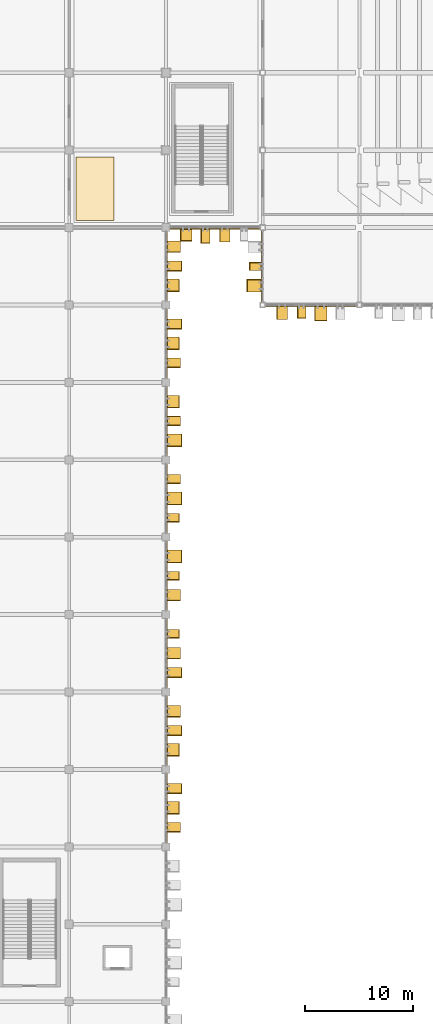
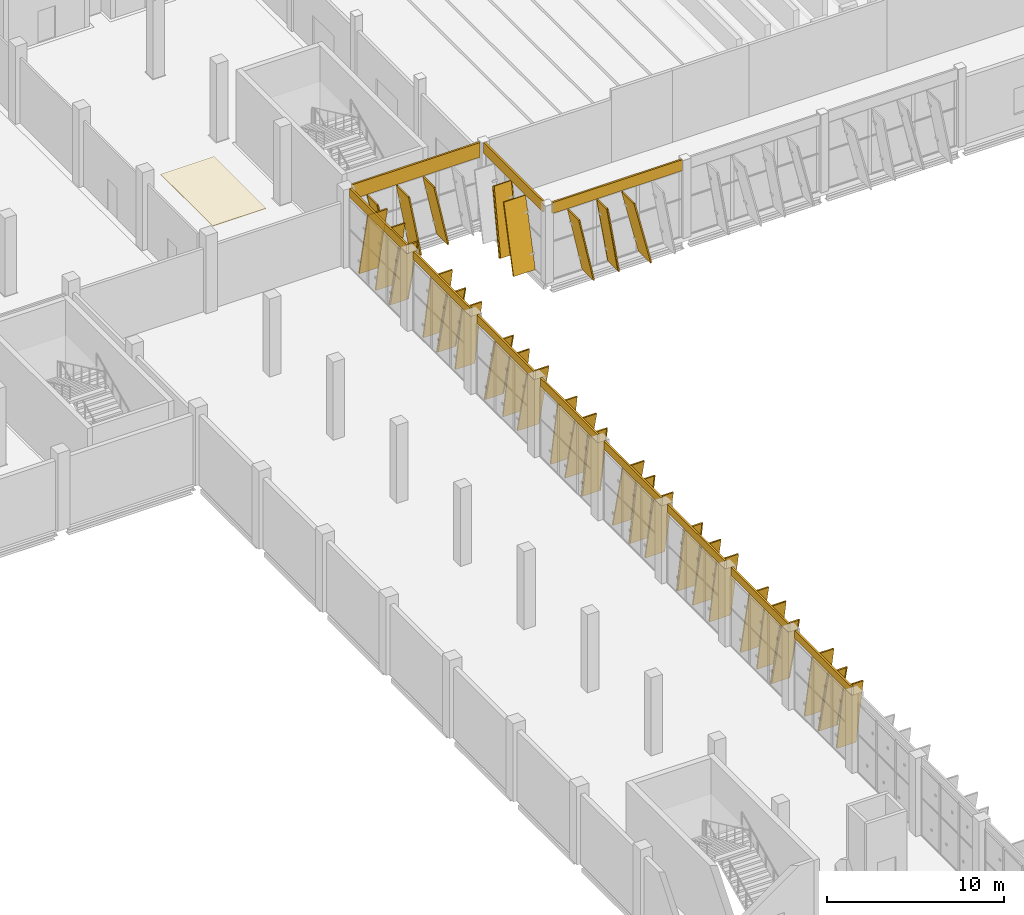
# One storey, part 174 of 189: 44 coverings, 32 shading devices.
"""IFC4 building model written with IfcOpenShell, lengths in metres."""

from ifc_helpers import new_model, si_unit, direction, frame, origin, origin_2d, place, context, subcontext, project, spatial, polyline, rectangle, outline, extrude, material, layer, layer_set, material_profile, profile_set, type_object, element, save


model = new_model("IFC4")

# Units and contexts
model_context = context("Model", 3, precision=1e-05, world=origin(), true_north=direction((0.0, 1.0)))
body_context = subcontext(model_context, "Body", "Model", "MODEL_VIEW")
ifc_project = project(units=[si_unit("LENGTHUNIT", "METRE"), si_unit("AREAUNIT", "SQUARE_METRE"), si_unit("VOLUMEUNIT", "CUBIC_METRE"), si_unit("PLANEANGLEUNIT", "RADIAN"), si_unit("MASSUNIT", "GRAM", prefix="KILO")], contexts=[model_context])

# Site, building, storey
site_placement = place(None, origin())
site = spatial("IfcSite", under=ifc_project, at=site_placement, CompositionType="ELEMENT")
building_placement = place(site_placement, origin())
building = spatial("IfcBuilding", under=site, at=building_placement, Name="Celestram Park Convention Centre", CompositionType="ELEMENT")
storey_placement = place(building_placement, frame((0.0, 0.0, 5.39990234375)))
storey = spatial("IfcBuildingStorey", under=building, at=storey_placement, Name="L01", CompositionType="ELEMENT", Elevation=5.39990234375)

# Coverings
ifc_material_1 = material(Name="Anodised Bronze Aluminium Spandrel Cladding", Category="aluminium")
ifc_layer_1 = layer(ifc_material_1, 0.050048828125)
ifc_layer_set_1 = layer_set([ifc_layer_1], Name="Anodised Bronze Aluminium Spandrel Cladding")
covering_type_1 = type_object("IfcCoveringType", Name="ARC-COV-CLD060", PredefinedType="CLADDING", material=ifc_layer_set_1)
covering_1_placement = place(storey_placement, frame((157.5, 115.1201171875, 4.64404296875), z_axis=(0.0, 0.0, 1.0), x_axis=(-1.0, 0.0, 0.0)))
element("IfcCovering", 1, at=covering_1_placement, inside=storey, type_object=covering_type_1, Name="Bronze spandrel cladding CL-L01-083", PredefinedType="CLADDING", context=body_context, shape_type="SweptSolid", body=[
    extrude(rectangle(XDim=8.50390625, YDim=0.1201171875, at=origin_2d()), origin(), (0.0, 0.0, 1.0), 0.756103515625),
])
covering_2_placement = place(storey_placement, frame((152.919921875, 118.800048828125, 4.64404296875), z_axis=(0.0, 0.0, 1.0), x_axis=(0.0, 1.0, 0.0)))
element("IfcCovering", 2, at=covering_2_placement, inside=storey, type_object=covering_type_1, Name="Bronze spandrel cladding CL-L01-084", PredefinedType="CLADDING", context=body_context, shape_type="SweptSolid", body=[
    extrude(rectangle(XDim=6.7041015625, YDim=0.1201171875, at=origin_2d()), origin(), (0.0, 0.0, 1.0), 0.756103515625),
])
covering_3_placement = place(storey_placement, frame((148.5, 122.320068359375, 4.38818359375), z_axis=(0.0, 0.0, 1.0), x_axis=(-1.0, 0.0, 0.0)))
element("IfcCovering", 3, at=covering_3_placement, inside=storey, type_object=covering_type_1, Name="Bronze spandrel cladding CL-L01-085", PredefinedType="CLADDING", context=body_context, shape_type="SweptSolid", body=[
    extrude(rectangle(XDim=8.37890625, YDim=0.1201171875, at=origin_2d()), origin(), (0.0, 0.0, 1.0), 1.011962890625),
])
covering_4_placement = place(storey_placement, frame((144.080078125, 118.800048828125, 4.7841796875), z_axis=(0.0, 0.0, 1.0), x_axis=(0.0, -1.0, 0.0)))
element("IfcCovering", 4, at=covering_4_placement, inside=storey, type_object=covering_type_1, Name="Bronze spandrel cladding CL-L01-086", PredefinedType="CLADDING", context=body_context, shape_type="SweptSolid", body=[
    extrude(rectangle(XDim=6.4541015625, YDim=0.1201171875, at=origin_2d()), origin(), (0.0, 0.0, 1.0), 0.615966796875),
])
for number, where, z_axis, x_axis, name in (
    (5, (144.080078125, 111.60009765625, 4.840087890625), (0.0, 0.0, 1.0), (0.0, -1.0, 0.0), "Bronze spandrel cladding CL-L01-087"),
    (6, (144.080078125, 104.39990234375, 4.840087890625), (0.0, 0.0, 1.0), (0.0, -1.0, 0.0), "Bronze spandrel cladding CL-L01-088"),
    (7, (144.080078125, 97.199951171875, 4.840087890625), (0.0, 0.0, 1.0), (0.0, -1.0, 0.0), "Bronze spandrel cladding CL-L01-089"),
    (8, (144.080078125, 90.0, 4.840087890625), (0.0, 0.0, 1.0), (0.0, -1.0, 0.0), "Bronze spandrel cladding CL-L01-090"),
    (9, (144.080078125, 82.800048828125, 4.840087890625), (0.0, 0.0, 1.0), (0.0, -1.0, 0.0), "Bronze spandrel cladding CL-L01-091"),
    (10, (144.080078125, 75.60009765625, 4.840087890625), (0.0, 0.0, 1.0), (0.0, -1.0, 0.0), "Bronze spandrel cladding CL-L01-092"),
    (11, (144.080078125, 68.39990234375, 4.840087890625), (0.0, 0.0, 1.0), (0.0, -1.0, 0.0), "Bronze spandrel cladding CL-L01-093"),
):
    element("IfcCovering", number, at=place(storey_placement, frame(where, z_axis=z_axis, x_axis=x_axis)), inside=storey, type_object=covering_type_1, Name=name, PredefinedType="CLADDING", context=body_context, shape_type="SweptSolid", body=[
        extrude(rectangle(XDim=6.4541015625, YDim=0.1201171875, at=origin_2d()), origin(), (0.0, 0.0, 1.0), 0.56005859375),
    ])
ifc_material_2 = material(Name="Perforated Acoustic Mineral-Fibre Baffle Ceiling", Category="gypsum")
ifc_layer_2 = layer(ifc_material_2, 0.0400390625)
ifc_layer_set_2 = layer_set([ifc_layer_2], Name="Perforated Acoustic Mineral-Fibre Baffle Ceiling")
covering_type_2 = type_object("IfcCoveringType", Name="ARC-COV-CLG040", PredefinedType="CEILING", material=ifc_layer_set_2)
covering_5_placement = place(storey_placement, frame((0.0, 0.0, 5.080078125)))
element("IfcCovering", 12, at=covering_5_placement, inside=storey, type_object=covering_type_2, Name="Plenary Pre-Function Gallery acoustic baffle ceiling", PredefinedType="CEILING", context=body_context, shape_type="SweptSolid", body=[
    extrude(outline(polyline([(135.64990234375, 123.050048828125), (139.14990234375, 123.050048828125), (139.14990234375, 128.949951171875), (135.64990234375, 128.949951171875), (135.64990234375, 123.050048828125)])), origin(), (0.0, 0.0, 1.0), 0.0400390625),
])
ifc_material_3 = material(Name="Timber-Toned Anodised Aluminium Alloy 6063-T6", Category="wood")
ifc_material_profile_1 = material_profile(ifc_material_3, rectangle(XDim=1.1201171875, YDim=0.090087890625, at=origin_2d()), Name="REED1120X90")
ifc_profile_set_1 = profile_set([ifc_material_profile_1], Name="Timber-Toned Anodised Aluminium Alloy 6063-T6")
covering_type_3 = type_object("IfcCoveringType", Name="ARC-COV-FIN1120", PredefinedType="CLADDING", material=ifc_profile_set_1)
for number, where, z_axis, x_axis, name in (
    (13, (156.96875, 114.56005859375, 0.034912109375), (-0.159857948369, 0.0, 0.987140028741), (0.0, -1.0, 0.0), "Leaning timber-toned reed fin RFN-L01-0248"),
    (14, (152.360107421875, 118.43115234375, 0.034912109375), (0.0, 0.159857948369, 0.987140028741), (-1.0, 0.0, 0.0), "Leaning timber-toned reed fin RFN-L01-0251"),
):
    element("IfcCovering", number, at=place(storey_placement, frame(where, z_axis=z_axis, x_axis=x_axis)), inside=storey, type_object=covering_type_3, Name=name, PredefinedType="CLADDING", context=body_context, shape_type="SweptSolid", body=[
        extrude(rectangle(XDim=1.1201171875, YDim=0.090087890625, at=origin_2d()), origin(), (0.0, 0.0, 1.0), 4.61376953125),
    ])
covering_6_placement = place(storey_placement, frame((146.367431640625, 121.760009765625, 0.064453125), z_axis=(-0.231764427654, 0.0, 0.972771941451), x_axis=(0.0, -1.0, 0.0)))
element("IfcCovering", 15, at=covering_6_placement, inside=storey, type_object=covering_type_3, Name="Leaning timber-toned reed fin RFN-L01-0256", PredefinedType="CLADDING", context=body_context, shape_type="SweptSolid", body=[
    extrude(rectangle(XDim=1.1201171875, YDim=0.090087890625, at=origin_2d()), origin(), (0.0, 0.0, 1.0), 4.35791015625),
])
covering_7_placement = place(storey_placement, frame((144.639892578125, 117.55078125, 0.06982421875), z_axis=(0.0, -0.231717727621, 0.972783066622), x_axis=(1.0, 0.0, 0.0)))
element("IfcCovering", 16, at=covering_7_placement, inside=storey, type_object=covering_type_3, Name="Leaning timber-toned reed fin RFN-L01-0259", PredefinedType="CLADDING", context=body_context, shape_type="SweptSolid", body=[
    extrude(rectangle(XDim=1.1201171875, YDim=0.090087890625, at=origin_2d()), origin(), (0.0, 0.0, 1.0), 4.75390625),
])
covering_8_placement = place(storey_placement, frame((144.639892578125, 112.157470703125, 0.070556640625), z_axis=(0.0, -0.231808084976, 0.972761538991), x_axis=(1.0, 0.0, 0.0)))
element("IfcCovering", 17, at=covering_8_placement, inside=storey, type_object=covering_type_3, Name="Leaning timber-toned reed fin RFN-L01-0261", PredefinedType="CLADDING", context=body_context, shape_type="SweptSolid", body=[
    extrude(rectangle(XDim=1.1201171875, YDim=0.090087890625, at=origin_2d()), origin(), (0.0, 0.0, 1.0), 4.81005859375),
])
covering_9_placement = place(storey_placement, frame((144.639892578125, 106.75732421875, 0.070556640625), z_axis=(0.0, -0.231760054376, 0.972772983381), x_axis=(1.0, 0.0, 0.0)))
element("IfcCovering", 18, at=covering_9_placement, inside=storey, type_object=covering_type_3, Name="Leaning timber-toned reed fin RFN-L01-0263", PredefinedType="CLADDING", context=body_context, shape_type="SweptSolid", body=[
    extrude(rectangle(XDim=1.1201171875, YDim=0.090087890625, at=origin_2d()), origin(), (0.0, 0.0, 1.0), 4.809814453125),
])
for number, where, z_axis, x_axis, name in (
    (19, (144.639892578125, 95.784423828125, 0.035888671875), (0.0, -0.159878683359, 0.987136670683), (1.0, 0.0, 0.0), "Leaning timber-toned reed fin RFN-L01-0268"),
    (20, (144.639892578125, 90.384521484375, 0.035888671875), (0.0, -0.159878683359, 0.987136670683), (1.0, 0.0, 0.0), "Leaning timber-toned reed fin RFN-L01-0270"),
    (21, (144.639892578125, 84.984619140625, 0.035888671875), (0.0, -0.159878683359, 0.987136670683), (1.0, 0.0, 0.0), "Leaning timber-toned reed fin RFN-L01-0272"),
):
    element("IfcCovering", number, at=place(storey_placement, frame(where, z_axis=z_axis, x_axis=x_axis)), inside=storey, type_object=covering_type_3, Name=name, PredefinedType="CLADDING", context=body_context, shape_type="SweptSolid", body=[
        extrude(rectangle(XDim=1.1201171875, YDim=0.090087890625, at=origin_2d()), origin(), (0.0, 0.0, 1.0), 4.81005859375),
    ])
covering_10_placement = place(storey_placement, frame((144.639892578125, 74.357421875, 0.070556640625), z_axis=(0.0, -0.231760054376, 0.972772983381), x_axis=(1.0, 0.0, 0.0)))
element("IfcCovering", 22, at=covering_10_placement, inside=storey, type_object=covering_type_3, Name="Leaning timber-toned reed fin RFN-L01-0277", PredefinedType="CLADDING", context=body_context, shape_type="SweptSolid", body=[
    extrude(rectangle(XDim=1.1201171875, YDim=0.090087890625, at=origin_2d()), origin(), (0.0, 0.0, 1.0), 4.809814453125),
])
covering_11_placement = place(storey_placement, frame((144.639892578125, 68.95751953125, 0.070556640625), z_axis=(0.0, -0.231808084976, 0.972761538991), x_axis=(1.0, 0.0, 0.0)))
element("IfcCovering", 23, at=covering_11_placement, inside=storey, type_object=covering_type_3, Name="Leaning timber-toned reed fin RFN-L01-0279", PredefinedType="CLADDING", context=body_context, shape_type="SweptSolid", body=[
    extrude(rectangle(XDim=1.1201171875, YDim=0.090087890625, at=origin_2d()), origin(), (0.0, 0.0, 1.0), 4.81005859375),
])
ifc_material_profile_2 = material_profile(ifc_material_3, rectangle(XDim=1.280029296875, YDim=0.090087890625, at=origin_2d()), Name="REED1280X90")
ifc_profile_set_2 = profile_set([ifc_material_profile_2], Name="Timber-Toned Anodised Aluminium Alloy 6063-T6")
covering_type_4 = type_object("IfcCoveringType", Name="ARC-COV-FIN1280", PredefinedType="CLADDING", material=ifc_profile_set_2)
covering_12_placement = place(storey_placement, frame((155.28369140625, 114.47998046875, 0.056396484375), z_axis=(-0.209641107943, 0.0, 0.977778403249), x_axis=(0.0, -1.0, 0.0)))
element("IfcCovering", 24, at=covering_12_placement, inside=storey, type_object=covering_type_4, Name="Leaning timber-toned reed fin RFN-L01-0249", PredefinedType="CLADDING", context=body_context, shape_type="SweptSolid", body=[
    extrude(rectangle(XDim=1.280029296875, YDim=0.090087890625, at=origin_2d()), origin(), (0.0, 0.0, 1.0), 4.614013671875),
])
covering_13_placement = place(storey_placement, frame((149.919189453125, 121.679931640625, 0.053466796875), z_axis=(-0.20962855812, 0.0, 0.977781093916), x_axis=(0.0, -1.0, 0.0)))
element("IfcCovering", 25, at=covering_13_placement, inside=storey, type_object=covering_type_4, Name="Leaning timber-toned reed fin RFN-L01-0254", PredefinedType="CLADDING", context=body_context, shape_type="SweptSolid", body=[
    extrude(rectangle(XDim=1.280029296875, YDim=0.090087890625, at=origin_2d()), origin(), (0.0, 0.0, 1.0), 4.358154296875),
])
covering_14_placement = place(storey_placement, frame((144.719970703125, 121.098388671875, 0.057861328125), z_axis=(0.0, -0.209627286664, 0.977781366506), x_axis=(1.0, 0.0, 0.0)))
element("IfcCovering", 26, at=covering_14_placement, inside=storey, type_object=covering_type_4, Name="Leaning timber-toned reed fin RFN-L01-0257", PredefinedType="CLADDING", context=body_context, shape_type="SweptSolid", body=[
    extrude(rectangle(XDim=1.280029296875, YDim=0.090087890625, at=origin_2d()), origin(), (0.0, 0.0, 1.0), 4.754150390625),
])
for number, where, z_axis, x_axis, name in (
    (27, (144.719970703125, 110.20947265625, 0.040283203125), (0.0, -0.170240052999, 0.985402620432), (1.0, 0.0, 0.0), "Leaning timber-toned reed fin RFN-L01-0262"),
    (28, (144.719970703125, 104.809326171875, 0.040283203125), (0.0, -0.170240052999, 0.985402620432), (1.0, 0.0, 0.0), "Leaning timber-toned reed fin RFN-L01-0264"),
    (29, (144.719970703125, 99.409423828125, 0.040283203125), (0.0, -0.170240052999, 0.985402620432), (1.0, 0.0, 0.0), "Leaning timber-toned reed fin RFN-L01-0266"),
    (30, (144.719970703125, 88.7041015625, 0.05859375), (0.0, -0.209626144864, 0.977781611296), (1.0, 0.0, 0.0), "Leaning timber-toned reed fin RFN-L01-0271"),
    (31, (144.719970703125, 83.30419921875, 0.05859375), (0.0, -0.209626144864, 0.977781611296), (1.0, 0.0, 0.0), "Leaning timber-toned reed fin RFN-L01-0273"),
    (32, (144.719970703125, 77.904052734375, 0.05859375), (0.0, -0.209577617572, 0.977792013781), (1.0, 0.0, 0.0), "Leaning timber-toned reed fin RFN-L01-0275"),
    (33, (144.719970703125, 67.009521484375, 0.040283203125), (0.0, -0.170240052999, 0.985402620432), (1.0, 0.0, 0.0), "Leaning timber-toned reed fin RFN-L01-0280"),
):
    element("IfcCovering", number, at=place(storey_placement, frame(where, z_axis=z_axis, x_axis=x_axis)), inside=storey, type_object=covering_type_4, Name=name, PredefinedType="CLADDING", context=body_context, shape_type="SweptSolid", body=[
        extrude(rectangle(XDim=1.280029296875, YDim=0.090087890625, at=origin_2d()), origin(), (0.0, 0.0, 1.0), 4.81005859375),
    ])
ifc_material_profile_3 = material_profile(ifc_material_3, rectangle(XDim=1.419921875, YDim=0.090087890625, at=origin_2d()), Name="REED1420X90")
ifc_profile_set_3 = profile_set([ifc_material_profile_3], Name="Timber-Toned Anodised Aluminium Alloy 6063-T6")
covering_type_5 = type_object("IfcCoveringType", Name="ARC-COV-FIN1420", PredefinedType="CLADDING", material=ifc_profile_set_3)
for number, where, z_axis, x_axis, name in (
    (34, (158.9501953125, 114.409912109375, 0.07177734375), (-0.238536992312, 0.0, 0.971133411689), (0.0, -1.0, 0.0), "Leaning timber-toned reed fin RFN-L01-0247"),
    (35, (152.2099609375, 116.44970703125, 0.07177734375), (0.0, 0.238536992312, 0.971133411689), (-1.0, 0.0, 0.0), "Leaning timber-toned reed fin RFN-L01-0250"),
):
    element("IfcCovering", number, at=place(storey_placement, frame(where, z_axis=z_axis, x_axis=x_axis)), inside=storey, type_object=covering_type_5, Name=name, PredefinedType="CLADDING", context=body_context, shape_type="SweptSolid", body=[
        extrude(rectangle(XDim=1.419921875, YDim=0.090087890625, at=origin_2d()), origin(), (0.0, 0.0, 1.0), 4.614013671875),
    ])
covering_15_placement = place(storey_placement, frame((148.055908203125, 121.610107421875, 0.041015625), z_axis=(-0.180556405286, 0.0, 0.983564631588), x_axis=(0.0, -1.0, 0.0)))
element("IfcCovering", 36, at=covering_15_placement, inside=storey, type_object=covering_type_5, Name="Leaning timber-toned reed fin RFN-L01-0255", PredefinedType="CLADDING", context=body_context, shape_type="SweptSolid", body=[
    extrude(rectangle(XDim=1.419921875, YDim=0.090087890625, at=origin_2d()), origin(), (0.0, 0.0, 1.0), 4.35791015625),
])
covering_16_placement = place(storey_placement, frame((144.7900390625, 119.22900390625, 0.044189453125), z_axis=(0.0, -0.180516672672, 0.983571924613), x_axis=(1.0, 0.0, 0.0)))
element("IfcCovering", 37, at=covering_16_placement, inside=storey, type_object=covering_type_5, Name="Leaning timber-toned reed fin RFN-L01-0258", PredefinedType="CLADDING", context=body_context, shape_type="SweptSolid", body=[
    extrude(rectangle(XDim=1.419921875, YDim=0.090087890625, at=origin_2d()), origin(), (0.0, 0.0, 1.0), 4.75390625),
])
for number, where, z_axis, x_axis, name in (
    (38, (144.7900390625, 113.833984375, 0.044677734375), (0.0, -0.180493192635, 0.983576233656), (1.0, 0.0, 0.0), "Leaning timber-toned reed fin RFN-L01-0260"),
    (39, (144.7900390625, 103.173583984375, 0.074462890625), (0.0, -0.238508778742, 0.971140341281), (1.0, 0.0, 0.0), "Leaning timber-toned reed fin RFN-L01-0265"),
    (40, (144.7900390625, 97.773681640625, 0.074462890625), (0.0, -0.238556647816, 0.971128583547), (1.0, 0.0, 0.0), "Leaning timber-toned reed fin RFN-L01-0267"),
    (41, (144.7900390625, 92.373779296875, 0.074462890625), (0.0, -0.238556647816, 0.971128583547), (1.0, 0.0, 0.0), "Leaning timber-toned reed fin RFN-L01-0269"),
    (42, (144.7900390625, 81.43408203125, 0.044677734375), (0.0, -0.180493192635, 0.983576233656), (1.0, 0.0, 0.0), "Leaning timber-toned reed fin RFN-L01-0274"),
    (43, (144.7900390625, 76.0341796875, 0.044677734375), (0.0, -0.180493192635, 0.983576233656), (1.0, 0.0, 0.0), "Leaning timber-toned reed fin RFN-L01-0276"),
    (44, (144.7900390625, 70.634033203125, 0.044677734375), (0.0, -0.180493192635, 0.983576233656), (1.0, 0.0, 0.0), "Leaning timber-toned reed fin RFN-L01-0278"),
):
    element("IfcCovering", number, at=place(storey_placement, frame(where, z_axis=z_axis, x_axis=x_axis)), inside=storey, type_object=covering_type_5, Name=name, PredefinedType="CLADDING", context=body_context, shape_type="SweptSolid", body=[
        extrude(rectangle(XDim=1.419921875, YDim=0.090087890625, at=origin_2d()), origin(), (0.0, 0.0, 1.0), 4.81005859375),
    ])

# Shading devices
ifc_material_4 = material(Name="Anodised Bronze Aluminium Alloy 6063-T6", Category="aluminium")
ifc_material_profile_4 = material_profile(ifc_material_4, rectangle(XDim=1.280029296875, YDim=0.080078125, at=origin_2d()), Name="FIN1280X80")
ifc_profile_set_4 = profile_set([ifc_material_profile_4], Name="Anodised Bronze Aluminium Alloy 6063-T6")
shading_device_type = type_object("IfcShadingDeviceType", Name="ARC-FIN-BZ1280", PredefinedType="USERDEFINED", material=ifc_profile_set_4)
shading_device_1_placement = place(storey_placement, frame((158.9501953125, 114.409912109375, 0.07177734375), z_axis=(-0.238536992312, 0.0, 0.971133411689), x_axis=(0.0, -1.0, 0.0)))
element("IfcShadingDevice", 45, at=shading_device_1_placement, inside=storey, type_object=shading_device_type, Name="Expressive solar fin FN-L01-0247", ObjectType="SOLAR_FIN", PredefinedType="USERDEFINED", context=body_context, shape_type="SweptSolid", body=[
    extrude(rectangle(XDim=1.280029296875, YDim=0.080078125, at=origin_2d()), origin(), (0.0, 0.0, 1.0), 4.614013671875),
])
shading_device_2_placement = place(storey_placement, frame((156.96875, 114.56005859375, 0.034912109375), z_axis=(-0.159857948369, 0.0, 0.987140028741), x_axis=(0.0, -1.0, 0.0)))
element("IfcShadingDevice", 46, at=shading_device_2_placement, inside=storey, type_object=shading_device_type, Name="Expressive solar fin FN-L01-0248", ObjectType="SOLAR_FIN", PredefinedType="USERDEFINED", context=body_context, shape_type="SweptSolid", body=[
    extrude(rectangle(XDim=1.280029296875, YDim=0.080078125, at=origin_2d()), origin(), (0.0, 0.0, 1.0), 4.61376953125),
])
for number, where, z_axis, x_axis, name in (
    (47, (155.28369140625, 114.47998046875, 0.056396484375), (-0.209641107943, 0.0, 0.977778403249), (0.0, -1.0, 0.0), "Expressive solar fin FN-L01-0249"),
    (48, (152.2099609375, 116.44970703125, 0.07177734375), (0.0, 0.238536992312, 0.971133411689), (-1.0, 0.0, 0.0), "Expressive solar fin FN-L01-0250"),
):
    element("IfcShadingDevice", number, at=place(storey_placement, frame(where, z_axis=z_axis, x_axis=x_axis)), inside=storey, type_object=shading_device_type, Name=name, ObjectType="SOLAR_FIN", PredefinedType="USERDEFINED", context=body_context, shape_type="SweptSolid", body=[
        extrude(rectangle(XDim=1.280029296875, YDim=0.080078125, at=origin_2d()), origin(), (0.0, 0.0, 1.0), 4.614013671875),
    ])
shading_device_3_placement = place(storey_placement, frame((152.360107421875, 118.43115234375, 0.034912109375), z_axis=(0.0, 0.159857948369, 0.987140028741), x_axis=(-1.0, 0.0, 0.0)))
element("IfcShadingDevice", 49, at=shading_device_3_placement, inside=storey, type_object=shading_device_type, Name="Expressive solar fin FN-L01-0251", ObjectType="SOLAR_FIN", PredefinedType="USERDEFINED", context=body_context, shape_type="SweptSolid", body=[
    extrude(rectangle(XDim=1.280029296875, YDim=0.080078125, at=origin_2d()), origin(), (0.0, 0.0, 1.0), 4.61376953125),
])
shading_device_4_placement = place(storey_placement, frame((149.919189453125, 121.679931640625, 0.053466796875), z_axis=(-0.20962855812, 0.0, 0.977781093916), x_axis=(0.0, -1.0, 0.0)))
element("IfcShadingDevice", 50, at=shading_device_4_placement, inside=storey, type_object=shading_device_type, Name="Expressive solar fin FN-L01-0254", ObjectType="SOLAR_FIN", PredefinedType="USERDEFINED", context=body_context, shape_type="SweptSolid", body=[
    extrude(rectangle(XDim=1.280029296875, YDim=0.080078125, at=origin_2d()), origin(), (0.0, 0.0, 1.0), 4.358154296875),
])
for number, where, z_axis, x_axis, name in (
    (51, (148.055908203125, 121.610107421875, 0.041015625), (-0.180556405286, 0.0, 0.983564631588), (0.0, -1.0, 0.0), "Expressive solar fin FN-L01-0255"),
    (52, (146.367431640625, 121.760009765625, 0.064453125), (-0.231764427654, 0.0, 0.972771941451), (0.0, -1.0, 0.0), "Expressive solar fin FN-L01-0256"),
):
    element("IfcShadingDevice", number, at=place(storey_placement, frame(where, z_axis=z_axis, x_axis=x_axis)), inside=storey, type_object=shading_device_type, Name=name, ObjectType="SOLAR_FIN", PredefinedType="USERDEFINED", context=body_context, shape_type="SweptSolid", body=[
        extrude(rectangle(XDim=1.280029296875, YDim=0.080078125, at=origin_2d()), origin(), (0.0, 0.0, 1.0), 4.35791015625),
    ])
shading_device_5_placement = place(storey_placement, frame((144.719970703125, 121.098388671875, 0.057861328125), z_axis=(0.0, -0.209627286664, 0.977781366506), x_axis=(1.0, 0.0, 0.0)))
element("IfcShadingDevice", 53, at=shading_device_5_placement, inside=storey, type_object=shading_device_type, Name="Expressive solar fin FN-L01-0257", ObjectType="SOLAR_FIN", PredefinedType="USERDEFINED", context=body_context, shape_type="SweptSolid", body=[
    extrude(rectangle(XDim=1.280029296875, YDim=0.080078125, at=origin_2d()), origin(), (0.0, 0.0, 1.0), 4.754150390625),
])
for number, where, z_axis, x_axis, name in (
    (54, (144.7900390625, 119.22900390625, 0.044189453125), (0.0, -0.180516672672, 0.983571924613), (1.0, 0.0, 0.0), "Expressive solar fin FN-L01-0258"),
    (55, (144.639892578125, 117.55078125, 0.06982421875), (0.0, -0.231717727621, 0.972783066622), (1.0, 0.0, 0.0), "Expressive solar fin FN-L01-0259"),
):
    element("IfcShadingDevice", number, at=place(storey_placement, frame(where, z_axis=z_axis, x_axis=x_axis)), inside=storey, type_object=shading_device_type, Name=name, ObjectType="SOLAR_FIN", PredefinedType="USERDEFINED", context=body_context, shape_type="SweptSolid", body=[
        extrude(rectangle(XDim=1.280029296875, YDim=0.080078125, at=origin_2d()), origin(), (0.0, 0.0, 1.0), 4.75390625),
    ])
for number, where, z_axis, x_axis, name in (
    (56, (144.7900390625, 113.833984375, 0.044677734375), (0.0, -0.180493192635, 0.983576233656), (1.0, 0.0, 0.0), "Expressive solar fin FN-L01-0260"),
    (57, (144.639892578125, 112.157470703125, 0.070556640625), (0.0, -0.231808084976, 0.972761538991), (1.0, 0.0, 0.0), "Expressive solar fin FN-L01-0261"),
    (58, (144.719970703125, 110.20947265625, 0.040283203125), (0.0, -0.170240052999, 0.985402620432), (1.0, 0.0, 0.0), "Expressive solar fin FN-L01-0262"),
):
    element("IfcShadingDevice", number, at=place(storey_placement, frame(where, z_axis=z_axis, x_axis=x_axis)), inside=storey, type_object=shading_device_type, Name=name, ObjectType="SOLAR_FIN", PredefinedType="USERDEFINED", context=body_context, shape_type="SweptSolid", body=[
        extrude(rectangle(XDim=1.280029296875, YDim=0.080078125, at=origin_2d()), origin(), (0.0, 0.0, 1.0), 4.81005859375),
    ])
shading_device_6_placement = place(storey_placement, frame((144.639892578125, 106.75732421875, 0.070556640625), z_axis=(0.0, -0.231760054376, 0.972772983381), x_axis=(1.0, 0.0, 0.0)))
element("IfcShadingDevice", 59, at=shading_device_6_placement, inside=storey, type_object=shading_device_type, Name="Expressive solar fin FN-L01-0263", ObjectType="SOLAR_FIN", PredefinedType="USERDEFINED", context=body_context, shape_type="SweptSolid", body=[
    extrude(rectangle(XDim=1.280029296875, YDim=0.080078125, at=origin_2d()), origin(), (0.0, 0.0, 1.0), 4.809814453125),
])
for number, where, z_axis, x_axis, name in (
    (60, (144.719970703125, 104.809326171875, 0.040283203125), (0.0, -0.170240052999, 0.985402620432), (1.0, 0.0, 0.0), "Expressive solar fin FN-L01-0264"),
    (61, (144.7900390625, 103.173583984375, 0.074462890625), (0.0, -0.238508778742, 0.971140341281), (1.0, 0.0, 0.0), "Expressive solar fin FN-L01-0265"),
    (62, (144.719970703125, 99.409423828125, 0.040283203125), (0.0, -0.170240052999, 0.985402620432), (1.0, 0.0, 0.0), "Expressive solar fin FN-L01-0266"),
    (63, (144.7900390625, 97.773681640625, 0.074462890625), (0.0, -0.238556647816, 0.971128583547), (1.0, 0.0, 0.0), "Expressive solar fin FN-L01-0267"),
    (64, (144.639892578125, 95.784423828125, 0.035888671875), (0.0, -0.159878683359, 0.987136670683), (1.0, 0.0, 0.0), "Expressive solar fin FN-L01-0268"),
    (65, (144.7900390625, 92.373779296875, 0.074462890625), (0.0, -0.238556647816, 0.971128583547), (1.0, 0.0, 0.0), "Expressive solar fin FN-L01-0269"),
    (66, (144.639892578125, 90.384521484375, 0.035888671875), (0.0, -0.159878683359, 0.987136670683), (1.0, 0.0, 0.0), "Expressive solar fin FN-L01-0270"),
    (67, (144.719970703125, 88.7041015625, 0.05859375), (0.0, -0.209626144864, 0.977781611296), (1.0, 0.0, 0.0), "Expressive solar fin FN-L01-0271"),
    (68, (144.639892578125, 84.984619140625, 0.035888671875), (0.0, -0.159878683359, 0.987136670683), (1.0, 0.0, 0.0), "Expressive solar fin FN-L01-0272"),
    (69, (144.719970703125, 83.30419921875, 0.05859375), (0.0, -0.209626144864, 0.977781611296), (1.0, 0.0, 0.0), "Expressive solar fin FN-L01-0273"),
    (70, (144.7900390625, 81.43408203125, 0.044677734375), (0.0, -0.180493192635, 0.983576233656), (1.0, 0.0, 0.0), "Expressive solar fin FN-L01-0274"),
    (71, (144.719970703125, 77.904052734375, 0.05859375), (0.0, -0.209577617572, 0.977792013781), (1.0, 0.0, 0.0), "Expressive solar fin FN-L01-0275"),
    (72, (144.7900390625, 76.0341796875, 0.044677734375), (0.0, -0.180493192635, 0.983576233656), (1.0, 0.0, 0.0), "Expressive solar fin FN-L01-0276"),
):
    element("IfcShadingDevice", number, at=place(storey_placement, frame(where, z_axis=z_axis, x_axis=x_axis)), inside=storey, type_object=shading_device_type, Name=name, ObjectType="SOLAR_FIN", PredefinedType="USERDEFINED", context=body_context, shape_type="SweptSolid", body=[
        extrude(rectangle(XDim=1.280029296875, YDim=0.080078125, at=origin_2d()), origin(), (0.0, 0.0, 1.0), 4.81005859375),
    ])
shading_device_7_placement = place(storey_placement, frame((144.639892578125, 74.357421875, 0.070556640625), z_axis=(0.0, -0.231760054376, 0.972772983381), x_axis=(1.0, 0.0, 0.0)))
element("IfcShadingDevice", 73, at=shading_device_7_placement, inside=storey, type_object=shading_device_type, Name="Expressive solar fin FN-L01-0277", ObjectType="SOLAR_FIN", PredefinedType="USERDEFINED", context=body_context, shape_type="SweptSolid", body=[
    extrude(rectangle(XDim=1.280029296875, YDim=0.080078125, at=origin_2d()), origin(), (0.0, 0.0, 1.0), 4.809814453125),
])
for number, where, z_axis, x_axis, name in (
    (74, (144.7900390625, 70.634033203125, 0.044677734375), (0.0, -0.180493192635, 0.983576233656), (1.0, 0.0, 0.0), "Expressive solar fin FN-L01-0278"),
    (75, (144.639892578125, 68.95751953125, 0.070556640625), (0.0, -0.231808084976, 0.972761538991), (1.0, 0.0, 0.0), "Expressive solar fin FN-L01-0279"),
    (76, (144.719970703125, 67.009521484375, 0.040283203125), (0.0, -0.170240052999, 0.985402620432), (1.0, 0.0, 0.0), "Expressive solar fin FN-L01-0280"),
):
    element("IfcShadingDevice", number, at=place(storey_placement, frame(where, z_axis=z_axis, x_axis=x_axis)), inside=storey, type_object=shading_device_type, Name=name, ObjectType="SOLAR_FIN", PredefinedType="USERDEFINED", context=body_context, shape_type="SweptSolid", body=[
        extrude(rectangle(XDim=1.280029296875, YDim=0.080078125, at=origin_2d()), origin(), (0.0, 0.0, 1.0), 4.81005859375),
    ])

save(model, "model.ifc")
